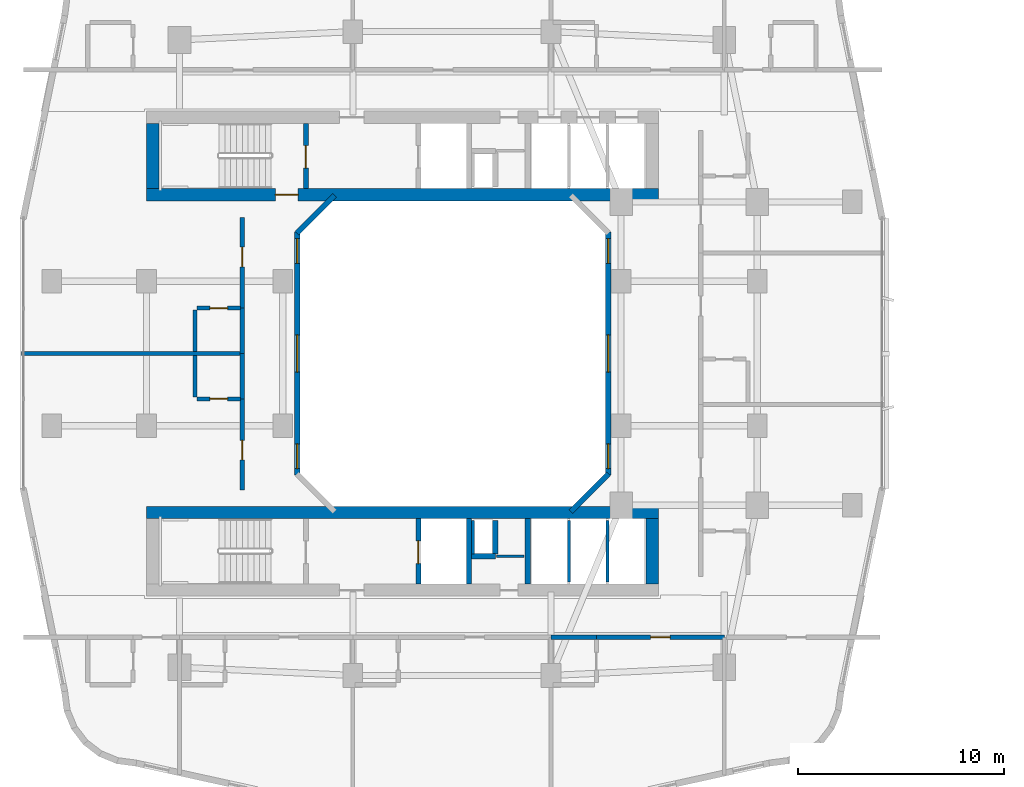
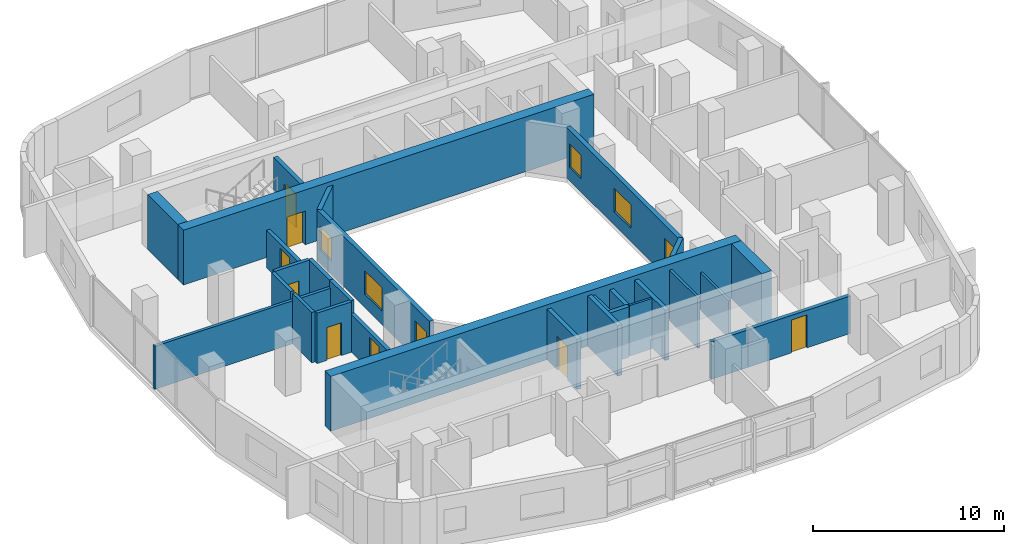
# One storey, part 14 of 27: 29 walls, 8 doors, 6 windows, 14 openings.
"""IFC4 building model written with IfcOpenShell, lengths in metres."""

from ifc_helpers import new_model, si_unit, derived_unit, direction, frame, frame_2d, origin, place, context, subcontext, project, spatial, rectangle, extrude, material, layer, layer_set, type_object, element, fill, save


model = new_model("IFC4")

# Units and contexts
model_context = context("Model", 3, precision=1e-05, world=origin(), true_north=direction((0.0, 1.0)))
body_context = subcontext(model_context, "Body", "Model", "MODEL_VIEW")
ifc_project = project(units=[si_unit("LENGTHUNIT", "METRE"), si_unit("AREAUNIT", "SQUARE_METRE"), si_unit("VOLUMEUNIT", "CUBIC_METRE"), si_unit("PLANEANGLEUNIT", "RADIAN"), si_unit("MASSUNIT", "GRAM", prefix="KILO"), derived_unit("THERMALTRANSMITTANCEUNIT", [(si_unit("POWERUNIT", "WATT"), 1), (si_unit("LENGTHUNIT", "METRE"), -2), (si_unit("THERMODYNAMICTEMPERATUREUNIT", "KELVIN"), -1)])], contexts=[model_context])

# Site, building, storey
site_placement = place(None, origin())
site = spatial("IfcSite", under=ifc_project, at=site_placement, CompositionType="ELEMENT")
building_placement = place(site_placement, origin())
building = spatial("IfcBuilding", under=site, at=building_placement, Name="Kivonza Crest Hotel", CompositionType="ELEMENT")
storey_placement = place(building_placement, frame((0.0, 0.0, 34.5)))
storey = spatial("IfcBuildingStorey", under=building, at=storey_placement, Name="L08", CompositionType="ELEMENT", Elevation=34.5)

# Walls
ifc_material_1 = material(Name="High-density acoustic masonry inter-tenancy wall", Category="masonry")
ifc_layer_1 = layer(ifc_material_1, 0.179931640625)
ifc_layer_set_1 = layer_set([ifc_layer_1], Name="High-density acoustic masonry inter-tenancy wall")
wall_type_1 = type_object("IfcWallType", Name="WL-ACOU-180", PredefinedType="SOLIDWALL", material=ifc_layer_set_1)
wall_1_placement = place(storey_placement, frame((0.139892578125, 25.0, 0.0), z_axis=(0.0, 0.0, 1.0), x_axis=(1.0, 0.0, 0.0)))
element("IfcWall", 1, at=wall_1_placement, inside=storey, type_object=wall_type_1, Name="L08 interior partition WA-L08-T1W-DIV1", PredefinedType="SOLIDWALL", context=body_context, shape_type="SweptSolid", body=[
    extrude(rectangle(XDim=10.710205078125, YDim=0.179931640625, at=frame_2d((5.35498046875, 0.0))), origin(), (0.0, 0.0, 1.0), 2.7451171875),
])
ifc_material_2 = material(Name="Autoclaved aerated concrete blockwork", Category="masonry")
ifc_layer_2 = layer(ifc_material_2, 0.219970703125)
ifc_layer_set_2 = layer_set([ifc_layer_2], Name="Autoclaved aerated concrete blockwork")
wall_type_2 = type_object("IfcWallType", Name="WL-ACOU-220", PredefinedType="SOLIDWALL", material=ifc_layer_set_2)
wall_2_placement = place(storey_placement, frame((25.800048828125, 11.25, 0.0), z_axis=(0.0, 0.0, 1.0), x_axis=(1.0, 0.0, 0.0)))
element("IfcWall", 2, at=wall_2_placement, inside=storey, type_object=wall_type_2, Name="L08 interior partition WA-L08-S07-BCORR", PredefinedType="SOLIDWALL", context=body_context, shape_type="SweptSolid", body=[
    extrude(rectangle(XDim=2.199951171875, YDim=0.219970703125, at=frame_2d((1.10009765625, 0.0))), origin(), (0.0, 0.0, 1.0), 2.39501953125),
])

# Wall, opening, door
wall_3_placement = place(storey_placement, frame((28.0, 11.25, 0.0), z_axis=(0.0, 0.0, 1.0), x_axis=(1.0, 0.0, 0.0)))
wall_3 = element("IfcWall", 3, at=wall_3_placement, inside=storey, type_object=wall_type_2, Name="L08 interior partition WA-L08-S07-MCORR", PredefinedType="SOLIDWALL", context=body_context, shape_type="SweptSolid", body=[
    extrude(rectangle(XDim=6.199951171875, YDim=0.219970703125, at=frame_2d((3.10009765625, 0.0))), origin(), (0.0, 0.0, 1.0), 2.39501953125),
])
opening_1_placement = place(wall_3_placement, frame((2.625, 0.0, 0.0)))
opening_1 = element("IfcOpeningElement", 4, at=opening_1_placement, cuts=wall_3, Name="Opening DU-60", PredefinedType="OPENING", context=body_context, shape_type="SweptSolid", body=[
    extrude(rectangle(XDim=0.949951171875, YDim=2.10009765625, at=frame_2d((0.47509765625, 1.050048828125))), frame((0.0, 0.1201171875, 0.0), z_axis=(0.0, -1.0, 0.0), x_axis=(1.0, 0.0, 0.0)), (0.0, 0.0, 1.0), 0.239990234375),
])
ifc_material_3 = material(Name="Hardwood timber oak", Category="wood")
door_type_1 = type_object("IfcDoorType", Name="DR-UNIT-950", OperationType="NOTDEFINED", PredefinedType="DOOR", material=ifc_material_3)
door_1_placement = place(opening_1_placement, frame((0.949951171875, 0.0, 0.0), z_axis=(0.0, 0.0, 1.0), x_axis=(-1.0, 0.0, 0.0)))
door_1 = element("IfcDoor", 5, at=door_1_placement, inside=storey, type_object=door_type_1, Name="L08 S07 guest unit entrance fire door", OperationType="SINGLE_SWING_LEFT", OverallHeight=2.10009765625, OverallWidth=0.949951171875, PredefinedType="DOOR", context=body_context, shape_type="SweptSolid", body=[
    extrude(rectangle(XDim=0.949951171875, YDim=2.10009765625, at=frame_2d((0.47509765625, 1.050048828125))), frame((0.0, 0.02490234375, 0.0), z_axis=(0.0, -1.0, 0.0), x_axis=(1.0, 0.0, 0.0)), (0.0, 0.0, 1.0), 0.050048828125),
])
fill(opening_1, door_1)

# Wall
wall_4_placement = place(storey_placement, frame((10.85009765625, 22.800048828125, 0.0), z_axis=(0.0, 0.0, 1.0), x_axis=(0.0, 1.0, 0.0)))
element("IfcWall", 6, at=wall_4_placement, inside=storey, type_object=wall_type_2, Name="L08 interior partition WA-L08-W08-BCORR", PredefinedType="SOLIDWALL", context=body_context, shape_type="SweptSolid", body=[
    extrude(rectangle(XDim=2.199951171875, YDim=0.219970703125, at=frame_2d((1.10009765625, 0.0))), origin(), (0.0, 0.0, 1.0), 3.219970703125),
])

# Wall, opening, door
wall_5_placement = place(storey_placement, frame((10.85009765625, 18.39990234375, 0.0), z_axis=(0.0, 0.0, 1.0), x_axis=(0.0, 1.0, 0.0)))
wall_5 = element("IfcWall", 7, at=wall_5_placement, inside=storey, type_object=wall_type_2, Name="L08 interior partition WA-L08-W08-MCORR", PredefinedType="SOLIDWALL", context=body_context, shape_type="SweptSolid", body=[
    extrude(rectangle(XDim=4.400146484375, YDim=0.219970703125, at=frame_2d((2.2001953125, 0.0))), origin(), (0.0, 0.0, 1.0), 2.39501953125),
])
opening_2_placement = place(wall_5_placement, frame((1.445068359375, 0.0, 0.0)))
opening_2 = element("IfcOpeningElement", 8, at=opening_2_placement, cuts=wall_5, Name="Opening DU-60", PredefinedType="OPENING", context=body_context, shape_type="SweptSolid", body=[
    extrude(rectangle(XDim=0.949951171875, YDim=2.10009765625, at=frame_2d((0.47509765625, 1.050048828125))), frame((0.0, 0.1201171875, 0.0), z_axis=(0.0, -1.0, 0.0), x_axis=(1.0, 0.0, 0.0)), (0.0, 0.0, 1.0), 0.239990234375),
])
door_2_placement = place(opening_2_placement, origin())
door_2 = element("IfcDoor", 9, at=door_2_placement, inside=storey, type_object=door_type_1, Name="L08 W08 guest unit entrance fire door", OperationType="SINGLE_SWING_RIGHT", OverallHeight=2.10009765625, OverallWidth=0.949951171875, PredefinedType="DOOR", context=body_context, shape_type="SweptSolid", body=[
    extrude(rectangle(XDim=0.949951171875, YDim=2.10009765625, at=frame_2d((0.47509765625, 1.050048828125))), frame((0.0, 0.02490234375, 0.0), z_axis=(0.0, -1.0, 0.0), x_axis=(1.0, 0.0, 0.0)), (0.0, 0.0, 1.0), 0.050048828125),
])
fill(opening_2, door_2)

# Wall
wall_6_placement = place(storey_placement, frame((10.85009765625, 25.0, 0.0), z_axis=(0.0, 0.0, 1.0), x_axis=(0.0, 1.0, 0.0)))
element("IfcWall", 10, at=wall_6_placement, inside=storey, type_object=wall_type_2, Name="L08 interior partition WA-L08-W09-BCORR", PredefinedType="SOLIDWALL", context=body_context, shape_type="SweptSolid", body=[
    extrude(rectangle(XDim=2.199951171875, YDim=0.219970703125, at=frame_2d((1.10009765625, 0.0))), origin(), (0.0, 0.0, 1.0), 3.219970703125),
])

# Wall, opening, door
wall_7_placement = place(storey_placement, frame((10.85009765625, 27.199951171875, 0.0), z_axis=(0.0, 0.0, 1.0), x_axis=(0.0, 1.0, 0.0)))
wall_7 = element("IfcWall", 11, at=wall_7_placement, inside=storey, type_object=wall_type_2, Name="L08 interior partition WA-L08-W09-MCORR", PredefinedType="SOLIDWALL", context=body_context, shape_type="SweptSolid", body=[
    extrude(rectangle(XDim=4.400146484375, YDim=0.219970703125, at=frame_2d((2.2001953125, 0.0))), origin(), (0.0, 0.0, 1.0), 2.39501953125),
])
opening_3_placement = place(wall_7_placement, frame((2.0048828125, 0.0, 0.0)))
opening_3 = element("IfcOpeningElement", 12, at=opening_3_placement, cuts=wall_7, Name="Opening DU-60", PredefinedType="OPENING", context=body_context, shape_type="SweptSolid", body=[
    extrude(rectangle(XDim=0.949951171875, YDim=2.10009765625, at=frame_2d((0.47509765625, 1.050048828125))), frame((0.0, 0.1201171875, 0.0), z_axis=(0.0, -1.0, 0.0), x_axis=(1.0, 0.0, 0.0)), (0.0, 0.0, 1.0), 0.239990234375),
])
door_3_placement = place(opening_3_placement, origin())
door_3 = element("IfcDoor", 13, at=door_3_placement, inside=storey, type_object=door_type_1, Name="L08 W09 guest unit entrance fire door", OperationType="SINGLE_SWING_LEFT", OverallHeight=2.10009765625, OverallWidth=0.949951171875, PredefinedType="DOOR", context=body_context, shape_type="SweptSolid", body=[
    extrude(rectangle(XDim=0.949951171875, YDim=2.10009765625, at=frame_2d((0.47509765625, 1.050048828125))), frame((0.0, 0.02490234375, 0.0), z_axis=(0.0, -1.0, 0.0), x_axis=(1.0, 0.0, 0.0)), (0.0, 0.0, 1.0), 0.050048828125),
])
fill(opening_3, door_3)

ifc_material_4 = material(Name="Concrete C60/75", Category="concrete")
ifc_layer_3 = layer(ifc_material_4, 0.60009765625)
ifc_layer_set_3 = layer_set([ifc_layer_3], Name="Concrete C60/75")
wall_type_3 = type_object("IfcWallType", Name="WL-CORE-600", PredefinedType="SHEAR", material=ifc_layer_set_3)
wall_8_placement = place(storey_placement, frame((6.199951171875, 32.699951171875, 0.0), z_axis=(0.0, 0.0, 1.0), x_axis=(1.0, 0.0, 0.0)))
wall_8 = element("IfcWall", 14, at=wall_8_placement, inside=storey, type_object=wall_type_3, Name="Core wall T1-N South L08", PredefinedType="SHEAR", context=body_context, shape_type="SweptSolid", body=[
    extrude(rectangle(XDim=24.800048828125, YDim=0.60009765625, at=frame_2d((12.39990234375, 0.0))), origin(), (0.0, 0.0, 1.0), 3.5),
])
opening_4_placement = place(wall_8_placement, frame((6.25, 0.0, 0.0)))
opening_4 = element("IfcOpeningElement", 15, at=opening_4_placement, cuts=wall_8, Name="Opening DF-120", PredefinedType="OPENING", context=body_context, shape_type="SweptSolid", body=[
    extrude(rectangle(XDim=1.10009765625, YDim=2.14990234375, at=frame_2d((0.550048828125, 1.074951171875))), frame((0.0, 0.31005859375, 0.0), z_axis=(0.0, -1.0, 0.0), x_axis=(1.0, 0.0, 0.0)), (0.0, 0.0, 1.0), 0.6201171875),
])
ifc_material_5 = material(Name="Galvanised steel", Category="steel")
door_type_2 = type_object("IfcDoorType", Name="DR-FD120-1100", OperationType="NOTDEFINED", PredefinedType="DOOR", material=ifc_material_5)
door_4_placement = place(opening_4_placement, origin())
door_4 = element("IfcDoor", 16, at=door_4_placement, inside=storey, type_object=door_type_2, Name="L08 West corridor stair access fire door", OperationType="SINGLE_SWING_LEFT", OverallHeight=2.14990234375, OverallWidth=1.10009765625, PredefinedType="DOOR", context=body_context, shape_type="SweptSolid", body=[
    extrude(rectangle(XDim=1.10009765625, YDim=2.14990234375, at=frame_2d((0.550048828125, 1.074951171875))), frame((0.0, 0.02490234375, 0.0), z_axis=(0.0, -1.0, 0.0), x_axis=(1.0, 0.0, 0.0)), (0.0, 0.0, 1.0), 0.050048828125),
])
fill(opening_4, door_4)

# Walls
wall_9_placement = place(storey_placement, frame((6.5, 33.0, 0.0), z_axis=(0.0, 0.0, 1.0), x_axis=(0.0, 1.0, 0.0)))
element("IfcWall", 17, at=wall_9_placement, inside=storey, type_object=wall_type_3, Name="Core wall T1-N West L08", PredefinedType="SHEAR", context=body_context, shape_type="SweptSolid", body=[
    extrude(rectangle(XDim=3.159912109375, YDim=0.60009765625, at=frame_2d((1.580078125, 0.0))), origin(), (0.0, 0.0, 1.0), 3.5),
])
wall_10_placement = place(storey_placement, frame((6.199951171875, 17.300048828125, 0.0), z_axis=(0.0, 0.0, 1.0), x_axis=(1.0, 0.0, 0.0)))
element("IfcWall", 18, at=wall_10_placement, inside=storey, type_object=wall_type_3, Name="Core wall T1-S North L08", PredefinedType="SHEAR", context=body_context, shape_type="SweptSolid", body=[
    extrude(rectangle(XDim=24.800048828125, YDim=0.60009765625, at=frame_2d((12.39990234375, 0.0))), origin(), (0.0, 0.0, 1.0), 3.5),
])
wall_11_placement = place(storey_placement, frame((30.699951171875, 13.840087890625, 0.0), z_axis=(0.0, 0.0, 1.0), x_axis=(0.0, 1.0, 0.0)))
element("IfcWall", 19, at=wall_11_placement, inside=storey, type_object=wall_type_3, Name="Core wall T1-S East L08", PredefinedType="SHEAR", context=body_context, shape_type="SweptSolid", body=[
    extrude(rectangle(XDim=3.159912109375, YDim=0.60009765625, at=frame_2d((1.580078125, 0.0))), origin(), (0.0, 0.0, 1.0), 3.5),
])
ifc_material_6 = material(Name="Precast concrete C40/50", Category="concrete")
ifc_layer_4 = layer(ifc_material_6, 0.260009765625)
ifc_layer_set_4 = layer_set([ifc_layer_4], Name="Precast concrete C40/50")
wall_type_4 = type_object("IfcWallType", Name="WL-EXT-260", PredefinedType="STANDARD", material=ifc_layer_set_4)
wall_12_placement = place(storey_placement, frame((26.761962890625, 17.337890625, 0.0), z_axis=(0.0, 0.0, 1.0), x_axis=(0.707059717605, 0.707153841636, 0.0)))
element("IfcWall", 20, at=wall_12_placement, inside=storey, type_object=wall_type_4, Name="L08 T1 light-well exterior wall 2", PredefinedType="STANDARD", context=body_context, shape_type="SweptSolid", body=[
    extrude(rectangle(XDim=2.59375, YDim=0.260009765625, at=frame_2d((1.296875, 0.0))), origin(), (0.0, 0.0, 1.0), 3.219970703125),
])

# Wall, openings, windows
wall_13_placement = place(storey_placement, frame((28.570068359375, 19.110107421875, 0.0), z_axis=(0.0, 0.0, 1.0), x_axis=(0.0, 1.0, 0.0)))
wall_13 = element("IfcWall", 21, at=wall_13_placement, inside=storey, type_object=wall_type_4, Name="L08 T1 light-well exterior wall 3", PredefinedType="STANDARD", context=body_context, shape_type="SweptSolid", body=[
    extrude(rectangle(XDim=11.77978515625, YDim=0.260009765625, at=frame_2d((5.889892578125, 0.0))), origin(), (0.0, 0.0, 1.0), 3.219970703125),
])
opening_5_placement = place(wall_13_placement, frame((0.318115234375, 0.0, 0.85009765625)))
opening_5 = element("IfcOpeningElement", 22, at=opening_5_placement, cuts=wall_13, Name="Opening WN-01", PredefinedType="OPENING", context=body_context, shape_type="SweptSolid", body=[
    extrude(rectangle(XDim=1.199951171875, YDim=1.5, at=frame_2d((0.60009765625, 0.75))), frame((0.0, 0.14013671875, 0.0), z_axis=(0.0, -1.0, 0.0), x_axis=(1.0, 0.0, 0.0)), (0.0, 0.0, 1.0), 0.280029296875),
])
opening_6_placement = place(wall_13_placement, frame((4.989990234375, 0.0, 0.85009765625)))
opening_6 = element("IfcOpeningElement", 23, at=opening_6_placement, cuts=wall_13, Name="Opening WN-03", PredefinedType="OPENING", context=body_context, shape_type="SweptSolid", body=[
    extrude(rectangle(XDim=1.800048828125, YDim=1.5, at=frame_2d((0.89990234375, 0.75))), frame((0.0, 0.14013671875, 0.0), z_axis=(0.0, -1.0, 0.0), x_axis=(1.0, 0.0, 0.0)), (0.0, 0.0, 1.0), 0.280029296875),
])
opening_7_placement = place(wall_13_placement, frame((10.262939453125, 0.0, 0.85009765625)))
opening_7 = element("IfcOpeningElement", 24, at=opening_7_placement, cuts=wall_13, Name="Opening WN-01", PredefinedType="OPENING", context=body_context, shape_type="SweptSolid", body=[
    extrude(rectangle(XDim=1.199951171875, YDim=1.5, at=frame_2d((0.60009765625, 0.75))), frame((0.0, 0.14013671875, 0.0), z_axis=(0.0, -1.0, 0.0), x_axis=(1.0, 0.0, 0.0)), (0.0, 0.0, 1.0), 0.280029296875),
])
ifc_material_7 = material(Name="Thermally broken bronze aluminium and low-E double glazing", Category="aluminium")
window_type_1 = type_object("IfcWindowType", Name="WN-120x150", PartitioningType="SINGLE_PANEL", PredefinedType="WINDOW", material=ifc_material_7)
window_1_placement = place(opening_5_placement, origin())
window_1 = element("IfcWindow", 25, at=window_1_placement, inside=storey, type_object=window_type_1, Name="L08 T1 light-well window 3 bay 1", OverallHeight=1.5, OverallWidth=1.199951171875, PartitioningType="SINGLE_PANEL", PredefinedType="WINDOW", context=body_context, shape_type="SweptSolid", body=[
    extrude(rectangle(XDim=1.199951171875, YDim=1.5, at=frame_2d((0.60009765625, 0.75))), frame((0.0, 0.030029296875, 0.0), z_axis=(0.0, -1.0, 0.0), x_axis=(1.0, 0.0, 0.0)), (0.0, 0.0, 1.0), 0.06005859375),
])
fill(opening_5, window_1)
window_2_placement = place(opening_7_placement, origin())
window_2 = element("IfcWindow", 26, at=window_2_placement, inside=storey, type_object=window_type_1, Name="L08 T1 light-well window 3 bay 3", OverallHeight=1.5, OverallWidth=1.199951171875, PartitioningType="SINGLE_PANEL", PredefinedType="WINDOW", context=body_context, shape_type="SweptSolid", body=[
    extrude(rectangle(XDim=1.199951171875, YDim=1.5, at=frame_2d((0.60009765625, 0.75))), frame((0.0, 0.030029296875, 0.0), z_axis=(0.0, -1.0, 0.0), x_axis=(1.0, 0.0, 0.0)), (0.0, 0.0, 1.0), 0.06005859375),
])
fill(opening_7, window_2)
window_type_2 = type_object("IfcWindowType", Name="WN-180x150", PartitioningType="DOUBLE_PANEL_VERTICAL", PredefinedType="WINDOW", material=ifc_material_7)
window_3_placement = place(opening_6_placement, origin())
window_3 = element("IfcWindow", 27, at=window_3_placement, inside=storey, type_object=window_type_2, Name="L08 T1 light-well window 3 bay 2", OverallHeight=1.5, OverallWidth=1.800048828125, PartitioningType="SINGLE_PANEL", PredefinedType="WINDOW", context=body_context, shape_type="SweptSolid", body=[
    extrude(rectangle(XDim=1.800048828125, YDim=1.5, at=frame_2d((0.89990234375, 0.75))), frame((0.0, 0.030029296875, 0.0), z_axis=(0.0, -1.0, 0.0), x_axis=(1.0, 0.0, 0.0)), (0.0, 0.0, 1.0), 0.06005859375),
])
fill(opening_6, window_3)

# Wall
wall_14_placement = place(storey_placement, frame((15.318115234375, 32.662109375, 0.0), z_axis=(0.0, 0.0, 1.0), x_axis=(-0.707106781187, -0.707106781187, 0.0)))
element("IfcWall", 28, at=wall_14_placement, inside=storey, type_object=wall_type_4, Name="L08 T1 light-well exterior wall 6", PredefinedType="STANDARD", context=body_context, shape_type="SweptSolid", body=[
    extrude(rectangle(XDim=2.593994140625, YDim=0.260009765625, at=frame_2d((1.296875, 0.0))), origin(), (0.0, 0.0, 1.0), 3.219970703125),
])

# Wall, openings, windows
wall_15_placement = place(storey_placement, frame((13.510009765625, 30.889892578125, 0.0), z_axis=(0.0, 0.0, 1.0), x_axis=(0.0, -1.0, 0.0)))
wall_15 = element("IfcWall", 29, at=wall_15_placement, inside=storey, type_object=wall_type_4, Name="L08 T1 light-well exterior wall 7", PredefinedType="STANDARD", context=body_context, shape_type="SweptSolid", body=[
    extrude(rectangle(XDim=11.77978515625, YDim=0.260009765625, at=frame_2d((5.889892578125, 0.0))), origin(), (0.0, 0.0, 1.0), 3.219970703125),
])
opening_8_placement = place(wall_15_placement, frame((0.318115234375, 0.0, 0.85009765625)))
opening_8 = element("IfcOpeningElement", 30, at=opening_8_placement, cuts=wall_15, Name="Opening WN-01", PredefinedType="OPENING", context=body_context, shape_type="SweptSolid", body=[
    extrude(rectangle(XDim=1.199951171875, YDim=1.5, at=frame_2d((0.60009765625, 0.75))), frame((0.0, 0.14013671875, 0.0), z_axis=(0.0, -1.0, 0.0), x_axis=(1.0, 0.0, 0.0)), (0.0, 0.0, 1.0), 0.280029296875),
])
opening_9_placement = place(wall_15_placement, frame((4.989990234375, 0.0, 0.85009765625)))
opening_9 = element("IfcOpeningElement", 31, at=opening_9_placement, cuts=wall_15, Name="Opening WN-03", PredefinedType="OPENING", context=body_context, shape_type="SweptSolid", body=[
    extrude(rectangle(XDim=1.800048828125, YDim=1.5, at=frame_2d((0.89990234375, 0.75))), frame((0.0, 0.14013671875, 0.0), z_axis=(0.0, -1.0, 0.0), x_axis=(1.0, 0.0, 0.0)), (0.0, 0.0, 1.0), 0.280029296875),
])
opening_10_placement = place(wall_15_placement, frame((10.262939453125, 0.0, 0.85009765625)))
opening_10 = element("IfcOpeningElement", 32, at=opening_10_placement, cuts=wall_15, Name="Opening WN-01", PredefinedType="OPENING", context=body_context, shape_type="SweptSolid", body=[
    extrude(rectangle(XDim=1.199951171875, YDim=1.5, at=frame_2d((0.60009765625, 0.75))), frame((0.0, 0.14013671875, 0.0), z_axis=(0.0, -1.0, 0.0), x_axis=(1.0, 0.0, 0.0)), (0.0, 0.0, 1.0), 0.280029296875),
])
window_4_placement = place(opening_8_placement, origin())
window_4 = element("IfcWindow", 33, at=window_4_placement, inside=storey, type_object=window_type_1, Name="L08 T1 light-well window 7 bay 1", OverallHeight=1.5, OverallWidth=1.199951171875, PartitioningType="SINGLE_PANEL", PredefinedType="WINDOW", context=body_context, shape_type="SweptSolid", body=[
    extrude(rectangle(XDim=1.199951171875, YDim=1.5, at=frame_2d((0.60009765625, 0.75))), frame((0.0, 0.030029296875, 0.0), z_axis=(0.0, -1.0, 0.0), x_axis=(1.0, 0.0, 0.0)), (0.0, 0.0, 1.0), 0.06005859375),
])
fill(opening_8, window_4)
window_5_placement = place(opening_10_placement, origin())
window_5 = element("IfcWindow", 34, at=window_5_placement, inside=storey, type_object=window_type_1, Name="L08 T1 light-well window 7 bay 3", OverallHeight=1.5, OverallWidth=1.199951171875, PartitioningType="SINGLE_PANEL", PredefinedType="WINDOW", context=body_context, shape_type="SweptSolid", body=[
    extrude(rectangle(XDim=1.199951171875, YDim=1.5, at=frame_2d((0.60009765625, 0.75))), frame((0.0, 0.030029296875, 0.0), z_axis=(0.0, -1.0, 0.0), x_axis=(1.0, 0.0, 0.0)), (0.0, 0.0, 1.0), 0.06005859375),
])
fill(opening_10, window_5)
window_6_placement = place(opening_9_placement, origin())
window_6 = element("IfcWindow", 35, at=window_6_placement, inside=storey, type_object=window_type_2, Name="L08 T1 light-well window 7 bay 2", OverallHeight=1.5, OverallWidth=1.800048828125, PartitioningType="SINGLE_PANEL", PredefinedType="WINDOW", context=body_context, shape_type="SweptSolid", body=[
    extrude(rectangle(XDim=1.800048828125, YDim=1.5, at=frame_2d((0.89990234375, 0.75))), frame((0.0, 0.030029296875, 0.0), z_axis=(0.0, -1.0, 0.0), x_axis=(1.0, 0.0, 0.0)), (0.0, 0.0, 1.0), 0.06005859375),
])
fill(opening_9, window_6)

# Walls
ifc_material_8 = material(Name="Concrete blockwork fire-compartment wall", Category="masonry")
ifc_layer_5 = layer(ifc_material_8, 0.25)
ifc_layer_set_5 = layer_set([ifc_layer_5], Name="Concrete blockwork fire-compartment wall")
wall_type_5 = type_object("IfcWallType", Name="WL-FIRE-250", PredefinedType="SOLIDWALL", material=ifc_layer_set_5)
wall_16_placement = place(storey_placement, frame((23.10009765625, 15.280029296875, 0.0), z_axis=(0.0, 0.0, 1.0), x_axis=(0.0, 1.0, 0.0)))
element("IfcWall", 36, at=wall_16_placement, inside=storey, type_object=wall_type_5, Name="L08 interior partition WA-L08-T1-S-MEPR-E", PredefinedType="SOLIDWALL", context=body_context, shape_type="SweptSolid", body=[
    extrude(rectangle(XDim=1.619873046875, YDim=0.25, at=frame_2d((0.81005859375, 0.0))), origin(), (0.0, 0.0, 1.0), 3.219970703125),
])
wall_17_placement = place(storey_placement, frame((21.949951171875, 15.179931640625, 0.0), z_axis=(0.0, 0.0, 1.0), x_axis=(1.0, 0.0, 0.0)))
element("IfcWall", 37, at=wall_17_placement, inside=storey, type_object=wall_type_5, Name="L08 interior partition WA-L08-T1-S-MEPR-H", PredefinedType="SOLIDWALL", context=body_context, shape_type="SweptSolid", body=[
    extrude(rectangle(XDim=1.150146484375, YDim=0.25, at=frame_2d((0.5751953125, 0.0))), origin(), (0.0, 0.0, 1.0), 3.219970703125),
])
ifc_material_9 = material(Name="Metal-stud gypsum board partition", Category="gypsum")
ifc_layer_6 = layer(ifc_material_9, 0.125)
ifc_layer_set_6 = layer_set([ifc_layer_6], Name="Metal-stud gypsum board partition")
wall_type_6 = type_object("IfcWallType", Name="WL-PART-125", PredefinedType="PARTITIONING", material=ifc_layer_set_6)
wall_18_placement = place(storey_placement, frame((23.14990234375, 15.179931640625, 0.0), z_axis=(0.0, 0.0, 1.0), x_axis=(1.0, 0.0, 0.0)))
element("IfcWall", 38, at=wall_18_placement, inside=storey, type_object=wall_type_6, Name="L08 interior partition WP-L08-T1-S-SV2H", PredefinedType="PARTITIONING", context=body_context, shape_type="SweptSolid", body=[
    extrude(rectangle(XDim=1.35009765625, YDim=0.125, at=frame_2d((0.675048828125, 0.0))), origin(), (0.0, 0.0, 1.0), 3.219970703125),
])
ifc_material_10 = material(Name="Twin-stud acoustic gypsum board partition", Category="gypsum")
ifc_layer_7 = layer(ifc_material_10, 0.14990234375)
ifc_layer_set_7 = layer_set([ifc_layer_7], Name="Twin-stud acoustic gypsum board partition")
wall_type_7 = type_object("IfcWallType", Name="WL-PART-150", PredefinedType="PARTITIONING", material=ifc_layer_set_7)
wall_19_placement = place(storey_placement, frame((22.030029296875, 15.280029296875, 0.0), z_axis=(0.0, 0.0, 1.0), x_axis=(0.0, 1.0, 0.0)))
element("IfcWall", 39, at=wall_19_placement, inside=storey, type_object=wall_type_7, Name="L08 interior partition WA-L08-T1-S-MEPR-W", PredefinedType="PARTITIONING", context=body_context, shape_type="SweptSolid", body=[
    extrude(rectangle(XDim=1.619873046875, YDim=0.14990234375, at=frame_2d((0.81005859375, 0.0))), origin(), (0.0, 0.0, 1.0), 3.219970703125),
])
wall_20_placement = place(storey_placement, frame((26.6669921875, 13.93994140625, 0.0), z_axis=(0.0, 0.0, 1.0), x_axis=(0.0, 1.0, 0.0)))
element("IfcWall", 40, at=wall_20_placement, inside=storey, type_object=wall_type_7, Name="L08 interior partition WP-L08-T1-S-BSH-1", PredefinedType="PARTITIONING", context=body_context, shape_type="SweptSolid", body=[
    extrude(rectangle(XDim=2.9599609375, YDim=0.14990234375, at=frame_2d((1.47998046875, 0.0))), origin(), (0.0, 0.0, 1.0), 3.219970703125),
])
wall_21_placement = place(storey_placement, frame((28.532958984375, 13.93994140625, 0.0), z_axis=(0.0, 0.0, 1.0), x_axis=(0.0, 1.0, 0.0)))
element("IfcWall", 41, at=wall_21_placement, inside=storey, type_object=wall_type_7, Name="L08 interior partition WP-L08-T1-S-BSH-2", PredefinedType="PARTITIONING", context=body_context, shape_type="SweptSolid", body=[
    extrude(rectangle(XDim=2.9599609375, YDim=0.14990234375, at=frame_2d((1.47998046875, 0.0))), origin(), (0.0, 0.0, 1.0), 2.39501953125),
])

# Wall, opening, door
ifc_material_11 = material(Name="Moisture-resistant plumbing chase partition wall", Category="gypsum")
ifc_layer_8 = layer(ifc_material_11, 0.199951171875)
ifc_layer_set_8 = layer_set([ifc_layer_8], Name="Moisture-resistant plumbing chase partition wall")
wall_type_8 = type_object("IfcWallType", Name="WL-PLUMB-200", PredefinedType="PLUMBINGWALL", material=ifc_layer_set_8)
wall_22_placement = place(storey_placement, frame((8.64990234375, 22.800048828125, 0.0), z_axis=(0.0, 0.0, 1.0), x_axis=(1.0, 0.0, 0.0)))
wall_22 = element("IfcWall", 42, at=wall_22_placement, inside=storey, type_object=wall_type_8, Name="L08 interior partition WW-L08-W08-BH", PredefinedType="PLUMBINGWALL", context=body_context, shape_type="SweptSolid", body=[
    extrude(rectangle(XDim=2.10009765625, YDim=0.199951171875, at=frame_2d((1.050048828125, 0.0))), origin(), (0.0, 0.0, 1.0), 3.219970703125),
])
opening_11_placement = place(wall_22_placement, frame((0.625, 0.0, 0.0)))
opening_11 = element("IfcOpeningElement", 43, at=opening_11_placement, cuts=wall_22, Name="Opening DI-85", PredefinedType="OPENING", context=body_context, shape_type="SweptSolid", body=[
    extrude(rectangle(XDim=0.85009765625, YDim=2.10009765625, at=frame_2d((0.425048828125, 1.050048828125))), frame((0.0, 0.10986328125, 0.0), z_axis=(0.0, -1.0, 0.0), x_axis=(1.0, 0.0, 0.0)), (0.0, 0.0, 1.0), 0.219970703125),
])
door_type_3 = type_object("IfcDoorType", Name="DR-INT-850", OperationType="NOTDEFINED", PredefinedType="DOOR", material=ifc_material_3)
door_5_placement = place(opening_11_placement, frame((0.85009765625, 0.0, 0.0), z_axis=(0.0, 0.0, 1.0), x_axis=(-1.0, 0.0, 0.0)))
door_5 = element("IfcDoor", 44, at=door_5_placement, inside=storey, type_object=door_type_3, Name="L08 W08 en-suite bathroom door", OperationType="SINGLE_SWING_LEFT", OverallHeight=2.10009765625, OverallWidth=0.85009765625, PredefinedType="DOOR", context=body_context, shape_type="SweptSolid", body=[
    extrude(rectangle(XDim=0.85009765625, YDim=2.10009765625, at=frame_2d((0.425048828125, 1.050048828125))), frame((0.0, 0.02490234375, 0.0), z_axis=(0.0, -1.0, 0.0), x_axis=(1.0, 0.0, 0.0)), (0.0, 0.0, 1.0), 0.050048828125),
])
fill(opening_11, door_5)

# Wall
wall_23_placement = place(storey_placement, frame((8.550048828125, 22.89990234375, 0.0), z_axis=(0.0, 0.0, 1.0), x_axis=(0.0, 1.0, 0.0)))
element("IfcWall", 45, at=wall_23_placement, inside=storey, type_object=wall_type_8, Name="L08 interior partition WW-L08-W08-BV", PredefinedType="PLUMBINGWALL", context=body_context, shape_type="SweptSolid", body=[
    extrude(rectangle(XDim=2.0, YDim=0.199951171875, at=frame_2d((1.0, 0.0))), origin(), (0.0, 0.0, 1.0), 3.219970703125),
])

# Wall, opening, door
wall_24_placement = place(storey_placement, frame((8.64990234375, 27.199951171875, 0.0), z_axis=(0.0, 0.0, 1.0), x_axis=(1.0, 0.0, 0.0)))
wall_24 = element("IfcWall", 46, at=wall_24_placement, inside=storey, type_object=wall_type_8, Name="L08 interior partition WW-L08-W09-BH", PredefinedType="PLUMBINGWALL", context=body_context, shape_type="SweptSolid", body=[
    extrude(rectangle(XDim=2.10009765625, YDim=0.199951171875, at=frame_2d((1.050048828125, 0.0))), origin(), (0.0, 0.0, 1.0), 3.219970703125),
])
opening_12_placement = place(wall_24_placement, frame((0.625, 0.0, 0.0)))
opening_12 = element("IfcOpeningElement", 47, at=opening_12_placement, cuts=wall_24, Name="Opening DI-85", PredefinedType="OPENING", context=body_context, shape_type="SweptSolid", body=[
    extrude(rectangle(XDim=0.85009765625, YDim=2.10009765625, at=frame_2d((0.425048828125, 1.050048828125))), frame((0.0, 0.10986328125, 0.0), z_axis=(0.0, -1.0, 0.0), x_axis=(1.0, 0.0, 0.0)), (0.0, 0.0, 1.0), 0.219970703125),
])
door_6_placement = place(opening_12_placement, origin())
door_6 = element("IfcDoor", 48, at=door_6_placement, inside=storey, type_object=door_type_3, Name="L08 W09 en-suite bathroom door", OperationType="SINGLE_SWING_RIGHT", OverallHeight=2.10009765625, OverallWidth=0.85009765625, PredefinedType="DOOR", context=body_context, shape_type="SweptSolid", body=[
    extrude(rectangle(XDim=0.85009765625, YDim=2.10009765625, at=frame_2d((0.425048828125, 1.050048828125))), frame((0.0, 0.02490234375, 0.0), z_axis=(0.0, -1.0, 0.0), x_axis=(1.0, 0.0, 0.0)), (0.0, 0.0, 1.0), 0.050048828125),
])
fill(opening_12, door_6)

# Wall
wall_25_placement = place(storey_placement, frame((8.550048828125, 25.10009765625, 0.0), z_axis=(0.0, 0.0, 1.0), x_axis=(0.0, 1.0, 0.0)))
element("IfcWall", 49, at=wall_25_placement, inside=storey, type_object=wall_type_8, Name="L08 interior partition WW-L08-W09-BV", PredefinedType="PLUMBINGWALL", context=body_context, shape_type="SweptSolid", body=[
    extrude(rectangle(XDim=2.0, YDim=0.199951171875, at=frame_2d((1.0, 0.0))), origin(), (0.0, 0.0, 1.0), 3.219970703125),
])

# Wall, opening, door
ifc_material_12 = material(Name="Concrete C50/60", Category="concrete")
ifc_layer_9 = layer(ifc_material_12, 0.25)
ifc_layer_set_9 = layer_set([ifc_layer_9], Name="Concrete C50/60")
wall_type_9 = type_object("IfcWallType", Name="WL-SHAFT-250", PredefinedType="STANDARD", material=ifc_layer_set_9)
wall_26_placement = place(storey_placement, frame((13.925048828125, 33.0, 0.0), z_axis=(0.0, 0.0, 1.0), x_axis=(0.0, 1.0, 0.0)))
wall_26 = element("IfcWall", 50, at=wall_26_placement, inside=storey, type_object=wall_type_9, Name="Core shaft wall T1-N STAIR L08", PredefinedType="STANDARD", context=body_context, shape_type="SweptSolid", body=[
    extrude(rectangle(XDim=3.159912109375, YDim=0.25, at=frame_2d((1.580078125, 0.0))), origin(), (0.0, 0.0, 1.0), 3.219970703125),
])
opening_13_placement = place(wall_26_placement, frame((0.97998046875, 0.0, 0.0)))
opening_13 = element("IfcOpeningElement", 51, at=opening_13_placement, cuts=wall_26, Name="Opening DF-120", PredefinedType="OPENING", context=body_context, shape_type="SweptSolid", body=[
    extrude(rectangle(XDim=1.10009765625, YDim=2.14990234375, at=frame_2d((0.550048828125, 1.074951171875))), frame((0.0, 0.135009765625, 0.0), z_axis=(0.0, -1.0, 0.0), x_axis=(1.0, 0.0, 0.0)), (0.0, 0.0, 1.0), 0.27001953125),
])
door_7_placement = place(opening_13_placement, frame((1.10009765625, 0.0, 0.0), z_axis=(0.0, 0.0, 1.0), x_axis=(-1.0, 0.0, 0.0)))
door_7 = element("IfcDoor", 52, at=door_7_placement, inside=storey, type_object=door_type_2, Name="L08 T1-N stair fire door", OperationType="SINGLE_SWING_LEFT", OverallHeight=2.14990234375, OverallWidth=1.10009765625, PredefinedType="DOOR", context=body_context, shape_type="SweptSolid", body=[
    extrude(rectangle(XDim=1.10009765625, YDim=2.14990234375, at=frame_2d((0.550048828125, 1.074951171875))), frame((0.0, 0.02490234375, 0.0), z_axis=(0.0, -1.0, 0.0), x_axis=(1.0, 0.0, 0.0)), (0.0, 0.0, 1.0), 0.050048828125),
])
fill(opening_13, door_7)

wall_27_placement = place(storey_placement, frame((19.375, 13.840087890625, 0.0), z_axis=(0.0, 0.0, 1.0), x_axis=(0.0, 1.0, 0.0)))
wall_27 = element("IfcWall", 53, at=wall_27_placement, inside=storey, type_object=wall_type_9, Name="Core shaft wall T1-S FFL-W L08", PredefinedType="STANDARD", context=body_context, shape_type="SweptSolid", body=[
    extrude(rectangle(XDim=3.159912109375, YDim=0.25, at=frame_2d((1.580078125, 0.0))), origin(), (0.0, 0.0, 1.0), 3.219970703125),
])
opening_14_placement = place(wall_27_placement, frame((0.97998046875, 0.0, 0.0)))
opening_14 = element("IfcOpeningElement", 54, at=opening_14_placement, cuts=wall_27, Name="Opening LD-120", PredefinedType="OPENING", context=body_context, shape_type="SweptSolid", body=[
    extrude(rectangle(XDim=1.10009765625, YDim=2.14990234375, at=frame_2d((0.550048828125, 1.074951171875))), frame((0.0, 0.135009765625, 0.0), z_axis=(0.0, -1.0, 0.0), x_axis=(1.0, 0.0, 0.0)), (0.0, 0.0, 1.0), 0.27001953125),
])
ifc_material_13 = material(Name="Stainless steel", Category="steel")
door_type_4 = type_object("IfcDoorType", Name="DR-LD120-1100", OperationType="NOTDEFINED", PredefinedType="DOOR", material=ifc_material_13)
door_8_placement = place(opening_14_placement, origin())
door_8 = element("IfcDoor", 55, at=door_8_placement, inside=storey, type_object=door_type_4, Name="L08 FFL-T1-S firefighting lift sliding landing door", OperationType="DOUBLE_DOOR_SLIDING", OverallHeight=2.14990234375, OverallWidth=1.10009765625, PredefinedType="DOOR", context=body_context, shape_type="SweptSolid", body=[
    extrude(rectangle(XDim=1.10009765625, YDim=2.14990234375, at=frame_2d((0.550048828125, 1.074951171875))), frame((0.0, 0.02490234375, 0.0), z_axis=(0.0, -1.0, 0.0), x_axis=(1.0, 0.0, 0.0)), (0.0, 0.0, 1.0), 0.050048828125),
])
fill(opening_14, door_8)

# Walls
for number, where, z_axis, x_axis, name in (
    (56, (21.824951171875, 13.840087890625, 0.0), (0.0, 0.0, 1.0), (0.0, 1.0, 0.0), "Core shaft wall T1-S FFL-E L08"),
    (57, (24.675048828125, 13.840087890625, 0.0), (0.0, 0.0, 1.0), (0.0, 1.0, 0.0), "Core shaft wall T1-S BANK-W L08"),
):
    element("IfcWall", number, at=place(storey_placement, frame(where, z_axis=z_axis, x_axis=x_axis)), inside=storey, type_object=wall_type_9, Name=name, PredefinedType="STANDARD", context=body_context, shape_type="SweptSolid", body=[
        extrude(rectangle(XDim=3.159912109375, YDim=0.25, at=frame_2d((1.580078125, 0.0))), origin(), (0.0, 0.0, 1.0), 3.219970703125),
    ])

save(model, "model.ifc")
